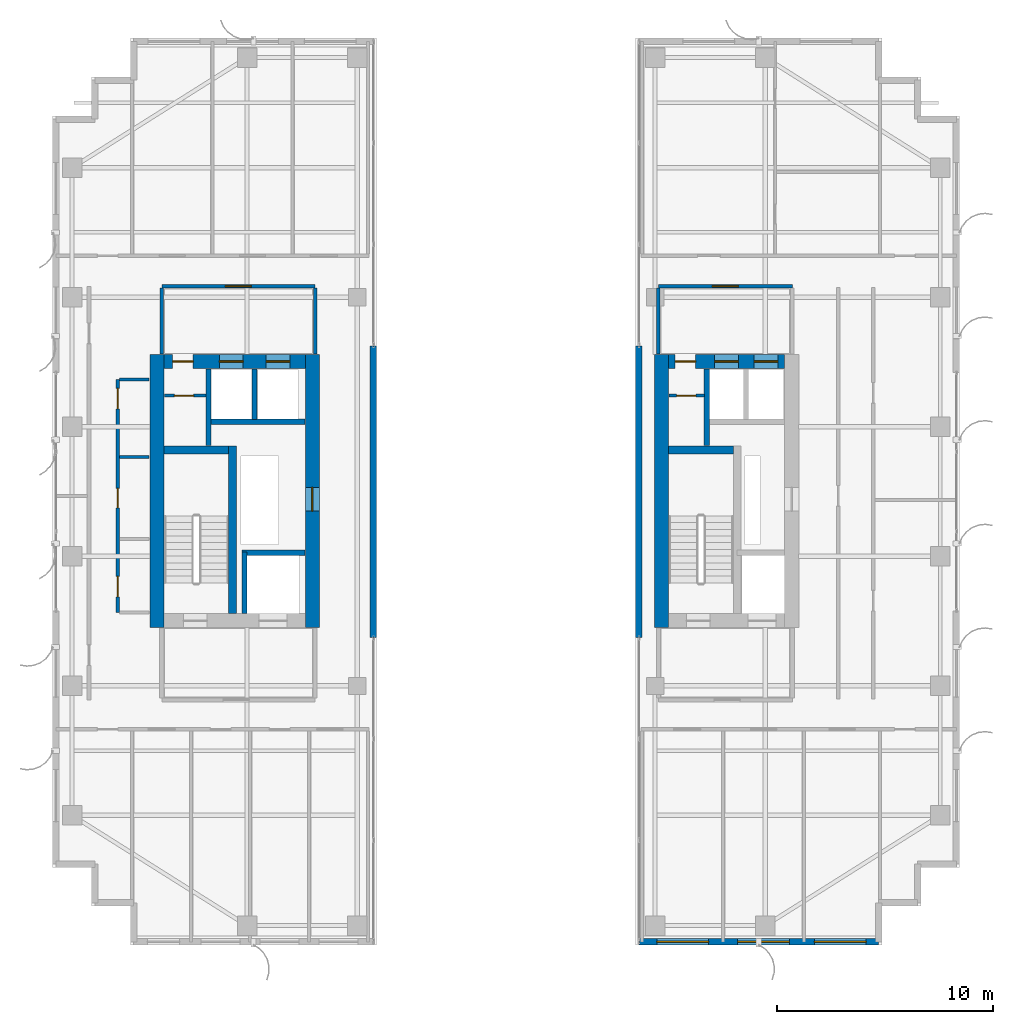
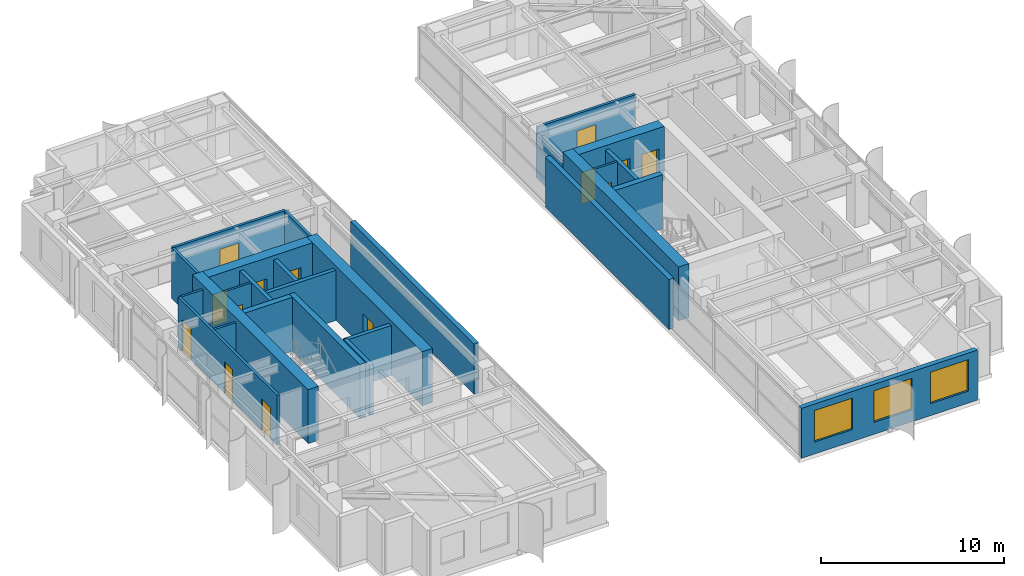
# One storey, part 17 of 22: 27 walls, 14 doors, 3 windows, 17 openings.
"""IFC4 building model written with IfcOpenShell, lengths in metres."""

from ifc_helpers import new_model, si_unit, direction, frame, frame_2d, origin, place, context, subcontext, project, spatial, rectangle, extrude, source, transform, mapped, material, layer, layer_set, type_object, element, fill, save


model = new_model("IFC4")

# Units and contexts
model_context = context("Model", 3, precision=1e-05, world=origin(), true_north=direction((0.0, 1.0)))
body_context = subcontext(model_context, "Body", "Model", "MODEL_VIEW")
ifc_project = project(units=[si_unit("LENGTHUNIT", "METRE"), si_unit("AREAUNIT", "SQUARE_METRE"), si_unit("VOLUMEUNIT", "CUBIC_METRE"), si_unit("PLANEANGLEUNIT", "RADIAN"), si_unit("MASSUNIT", "GRAM", prefix="KILO")], contexts=[model_context])

# Site, building, storey
site_placement = place(None, origin())
site = spatial("IfcSite", under=ifc_project, at=site_placement, CompositionType="ELEMENT")
building_placement = place(site_placement, origin())
building = spatial("IfcBuilding", under=site, at=building_placement, Name="Khoralis Quay Care Tower", CompositionType="ELEMENT")
storey_placement = place(building_placement, frame((0.0, 0.0, 195.300048828125)))
storey = spatial("IfcBuildingStorey", under=building, at=storey_placement, Name="L51", CompositionType="ELEMENT", Elevation=195.300048828125)

# Wall
ifc_material_1 = material(Name="Concrete C65/80", Category="concrete")
ifc_layer_1 = layer(ifc_material_1, 0.64990234375)
ifc_layer_set_1 = layer_set([ifc_layer_1], Name="Concrete C65/80")
wall_type_1 = type_object("IfcWallType", Name="WL-CORE-650", PredefinedType="SHEAR", material=ifc_layer_set_1)
wall_1_placement = place(storey_placement, frame((7.824951171875, 14.699951171875, 0.0), z_axis=(0.0, 0.0, 1.0), x_axis=(0.0, 1.0, 0.0)))
element("IfcWall", 1, at=wall_1_placement, inside=storey, type_object=wall_type_1, Name="L51 WCORE West Shear Wall", PredefinedType="SHEAR", context=body_context, shape_type="SweptSolid", body=[
    extrude(rectangle(XDim=12.650146484375, YDim=0.64990234375, at=frame_2d((6.3251953125, 0.0))), origin(), (0.0, 0.0, 1.0), 3.599853515625),
])

# Wall, opening, door
wall_2_placement = place(storey_placement, frame((15.02490234375, 14.699951171875, 0.0), z_axis=(0.0, 0.0, 1.0), x_axis=(0.0, 1.0, 0.0)))
wall_2 = element("IfcWall", 2, at=wall_2_placement, inside=storey, type_object=wall_type_1, Name="L51 WCORE East Shear Wall", PredefinedType="SHEAR", context=body_context, shape_type="SweptSolid", body=[
    extrude(rectangle(XDim=12.650146484375, YDim=0.64990234375, at=frame_2d((6.3251953125, 0.0))), origin(), (0.0, 0.0, 1.0), 3.599853515625),
])
opening_1_placement = place(wall_2_placement, frame((5.39990234375, 0.0, 0.0)))
opening_1 = element("IfcOpeningElement", 3, at=opening_1_placement, cuts=wall_2, Name="Opening SD1", PredefinedType="OPENING", context=body_context, shape_type="SweptSolid", body=[
    extrude(rectangle(XDim=1.10009765625, YDim=2.199951171875, at=frame_2d((0.550048828125, 1.10009765625))), frame((0.0, 0.3349609375, 0.0), z_axis=(0.0, -1.0, 0.0), x_axis=(1.0, 0.0, 0.0)), (0.0, 0.0, 1.0), 0.669921875),
])
ifc_material_2 = material(Name="Fire-rated painted steel", Category="steel")
door_type_1 = type_object("IfcDoorType", Name="DR-STAIR-1100X2200", OperationType="NOTDEFINED", PredefinedType="DOOR", material=ifc_material_2)
shared_shape_1 = source(origin(), body_context, "Body", "SweptSolid", [
    extrude(rectangle(XDim=1.10009765625, YDim=2.199951171875, at=frame_2d((0.550048828125, 1.10009765625))), frame((0.0, 0.02490234375, 0.0), z_axis=(0.0, -1.0, 0.0), x_axis=(1.0, 0.0, 0.0)), (0.0, 0.0, 1.0), 0.050048828125),
])
door_1_placement = place(opening_1_placement, origin())
door_1 = element("IfcDoor", 4, at=door_1_placement, inside=storey, type_object=door_type_1, Name="L51 West MEP Riser Door", OperationType="SINGLE_SWING_LEFT", OverallHeight=2.199951171875, OverallWidth=1.10009765625, PredefinedType="DOOR", context=body_context, shape_type="MappedRepresentation", body=[
    mapped(shared_shape_1, transform((0.0, 0.0, 0.0), scale=1.0)),
])
fill(opening_1, door_1)

# Wall, openings, doors
wall_3_placement = place(storey_placement, frame((8.14990234375, 27.02490234375, 0.0), z_axis=(0.0, 0.0, 1.0), x_axis=(1.0, 0.0, 0.0)))
wall_3 = element("IfcWall", 5, at=wall_3_placement, inside=storey, type_object=wall_type_1, Name="L51 WCORE North Shear Wall", PredefinedType="SHEAR", context=body_context, shape_type="SweptSolid", body=[
    extrude(rectangle(XDim=6.550048828125, YDim=0.64990234375, at=frame_2d((3.27490234375, 0.0))), origin(), (0.0, 0.0, 1.0), 3.599853515625),
])
opening_2_placement = place(wall_3_placement, frame((0.39990234375, 0.0, 0.0)))
opening_2 = element("IfcOpeningElement", 6, at=opening_2_placement, cuts=wall_3, Name="Opening ID1", PredefinedType="OPENING", context=body_context, shape_type="SweptSolid", body=[
    extrude(rectangle(XDim=0.949951171875, YDim=2.10009765625, at=frame_2d((0.47509765625, 1.050048828125))), frame((0.0, 0.3349609375, 0.0), z_axis=(0.0, -1.0, 0.0), x_axis=(1.0, 0.0, 0.0)), (0.0, 0.0, 1.0), 0.669921875),
])
opening_3_placement = place(wall_3_placement, frame((2.570068359375, 0.0, 0.0)))
opening_3 = element("IfcOpeningElement", 7, at=opening_3_placement, cuts=wall_3, Name="Opening LD1", PredefinedType="OPENING", context=body_context, shape_type="SweptSolid", body=[
    extrude(rectangle(XDim=1.10009765625, YDim=2.199951171875, at=frame_2d((0.550048828125, 1.10009765625))), frame((0.0, 0.3349609375, 0.0), z_axis=(0.0, -1.0, 0.0), x_axis=(1.0, 0.0, 0.0)), (0.0, 0.0, 1.0), 0.669921875),
])
opening_4_placement = place(wall_3_placement, frame((4.72998046875, 0.0, 0.0)))
opening_4 = element("IfcOpeningElement", 8, at=opening_4_placement, cuts=wall_3, Name="Opening LD1", PredefinedType="OPENING", context=body_context, shape_type="SweptSolid", body=[
    extrude(rectangle(XDim=1.10009765625, YDim=2.199951171875, at=frame_2d((0.550048828125, 1.10009765625))), frame((0.0, 0.3349609375, 0.0), z_axis=(0.0, -1.0, 0.0), x_axis=(1.0, 0.0, 0.0)), (0.0, 0.0, 1.0), 0.669921875),
])
ifc_material_3 = material(Name="Brushed stainless steel", Category="steel")
door_type_2 = type_object("IfcDoorType", Name="DR-LIFT-1100X2200", OperationType="SLIDING_TO_LEFT", PredefinedType="DOOR", material=ifc_material_3)
shared_shape_2 = source(origin(), body_context, "Body", "SweptSolid", [
    extrude(rectangle(XDim=1.10009765625, YDim=2.199951171875, at=frame_2d((0.550048828125, 1.10009765625))), frame((0.0, 0.02490234375, 0.0), z_axis=(0.0, -1.0, 0.0), x_axis=(1.0, 0.0, 0.0)), (0.0, 0.0, 1.0), 0.050048828125),
])
door_2_placement = place(opening_3_placement, origin())
door_2 = element("IfcDoor", 9, at=door_2_placement, inside=storey, type_object=door_type_2, Name="L51 Lift PLM1 Landing Door", OperationType="SLIDING_TO_LEFT", OverallHeight=2.199951171875, OverallWidth=1.10009765625, PredefinedType="DOOR", context=body_context, shape_type="MappedRepresentation", body=[
    mapped(shared_shape_2, transform((0.0, 0.0, 0.0), scale=1.0)),
])
fill(opening_3, door_2)
door_3_placement = place(opening_4_placement, origin())
door_3 = element("IfcDoor", 10, at=door_3_placement, inside=storey, type_object=door_type_2, Name="L51 Lift PLH1 Landing Door", OperationType="SLIDING_TO_LEFT", OverallHeight=2.199951171875, OverallWidth=1.10009765625, PredefinedType="DOOR", context=body_context, shape_type="MappedRepresentation", body=[
    mapped(shared_shape_2, transform((0.0, 0.0, 0.0), scale=1.0)),
])
fill(opening_4, door_3)
ifc_material_4 = material(Name="Acoustic hardwood timber", Category="wood")
door_type_3 = type_object("IfcDoorType", Name="DR-ROOM-950X2100", OperationType="NOTDEFINED", PredefinedType="DOOR", material=ifc_material_4)
shared_shape_3 = source(origin(), body_context, "Body", "SweptSolid", [
    extrude(rectangle(XDim=0.949951171875, YDim=2.10009765625, at=frame_2d((0.47509765625, 1.050048828125))), frame((0.0, 0.02490234375, 0.0), z_axis=(0.0, -1.0, 0.0), x_axis=(1.0, 0.0, 0.0)), (0.0, 0.0, 1.0), 0.050048828125),
])
door_4_placement = place(opening_2_placement, frame((0.949951171875, 0.0, 0.0), z_axis=(0.0, 0.0, 1.0), x_axis=(-1.0, 0.0, 0.0)))
door_4 = element("IfcDoor", 11, at=door_4_placement, inside=storey, type_object=door_type_3, Name="L51 Medication Store Door", OperationType="SINGLE_SWING_LEFT", OverallHeight=2.10009765625, OverallWidth=0.949951171875, PredefinedType="DOOR", context=body_context, shape_type="MappedRepresentation", body=[
    mapped(shared_shape_3, transform((0.0, 0.0, 0.0), scale=1.0)),
])
fill(opening_2, door_4)

# Wall
wall_4_placement = place(storey_placement, frame((31.195068359375, 14.699951171875, 0.0), z_axis=(0.0, 0.0, 1.0), x_axis=(0.0, 1.0, 0.0)))
element("IfcWall", 12, at=wall_4_placement, inside=storey, type_object=wall_type_1, Name="L51 ECORE West Shear Wall", PredefinedType="SHEAR", context=body_context, shape_type="SweptSolid", body=[
    extrude(rectangle(XDim=12.650146484375, YDim=0.64990234375, at=frame_2d((6.3251953125, 0.0))), origin(), (0.0, 0.0, 1.0), 3.599853515625),
])

# Wall, openings, doors
wall_5_placement = place(storey_placement, frame((31.52001953125, 27.02490234375, 0.0), z_axis=(0.0, 0.0, 1.0), x_axis=(1.0, 0.0, 0.0)))
wall_5 = element("IfcWall", 13, at=wall_5_placement, inside=storey, type_object=wall_type_1, Name="L51 ECORE North Shear Wall", PredefinedType="SHEAR", context=body_context, shape_type="SweptSolid", body=[
    extrude(rectangle(XDim=5.3798828125, YDim=0.64990234375, at=frame_2d((2.68994140625, 0.0))), origin(), (0.0, 0.0, 1.0), 3.599853515625),
])
opening_5_placement = place(wall_5_placement, frame((0.300048828125, 0.0, 0.0)))
opening_5 = element("IfcOpeningElement", 14, at=opening_5_placement, cuts=wall_5, Name="Opening ID1", PredefinedType="OPENING", context=body_context, shape_type="SweptSolid", body=[
    extrude(rectangle(XDim=0.949951171875, YDim=2.10009765625, at=frame_2d((0.47509765625, 1.050048828125))), frame((0.0, 0.3349609375, 0.0), z_axis=(0.0, -1.0, 0.0), x_axis=(1.0, 0.0, 0.0)), (0.0, 0.0, 1.0), 0.669921875),
])
opening_6_placement = place(wall_5_placement, frame((2.1298828125, 0.0, 0.0)))
opening_6 = element("IfcOpeningElement", 15, at=opening_6_placement, cuts=wall_5, Name="Opening LD1", PredefinedType="OPENING", context=body_context, shape_type="SweptSolid", body=[
    extrude(rectangle(XDim=1.10009765625, YDim=2.199951171875, at=frame_2d((0.550048828125, 1.10009765625))), frame((0.0, 0.3349609375, 0.0), z_axis=(0.0, -1.0, 0.0), x_axis=(1.0, 0.0, 0.0)), (0.0, 0.0, 1.0), 0.669921875),
])
opening_7_placement = place(wall_5_placement, frame((3.9599609375, 0.0, 0.0)))
opening_7 = element("IfcOpeningElement", 16, at=opening_7_placement, cuts=wall_5, Name="Opening LD1", PredefinedType="OPENING", context=body_context, shape_type="SweptSolid", body=[
    extrude(rectangle(XDim=1.10009765625, YDim=2.199951171875, at=frame_2d((0.550048828125, 1.10009765625))), frame((0.0, 0.3349609375, 0.0), z_axis=(0.0, -1.0, 0.0), x_axis=(1.0, 0.0, 0.0)), (0.0, 0.0, 1.0), 0.669921875),
])
door_5_placement = place(opening_6_placement, origin())
door_5 = element("IfcDoor", 17, at=door_5_placement, inside=storey, type_object=door_type_2, Name="L51 Lift PLM2 Landing Door", OperationType="SLIDING_TO_LEFT", OverallHeight=2.199951171875, OverallWidth=1.10009765625, PredefinedType="DOOR", context=body_context, shape_type="MappedRepresentation", body=[
    mapped(shared_shape_2, transform((0.0, 0.0, 0.0), scale=1.0)),
])
fill(opening_6, door_5)
door_6_placement = place(opening_7_placement, origin())
door_6 = element("IfcDoor", 18, at=door_6_placement, inside=storey, type_object=door_type_2, Name="L51 Lift PLH2 Landing Door", OperationType="SLIDING_TO_LEFT", OverallHeight=2.199951171875, OverallWidth=1.10009765625, PredefinedType="DOOR", context=body_context, shape_type="MappedRepresentation", body=[
    mapped(shared_shape_2, transform((0.0, 0.0, 0.0), scale=1.0)),
])
fill(opening_7, door_6)
door_7_placement = place(opening_5_placement, frame((0.949951171875, 0.0, 0.0), z_axis=(0.0, 0.0, 1.0), x_axis=(-1.0, 0.0, 0.0)))
door_7 = element("IfcDoor", 19, at=door_7_placement, inside=storey, type_object=door_type_3, Name="L51 Nutrition Store Door", OperationType="SINGLE_SWING_RIGHT", OverallHeight=2.10009765625, OverallWidth=0.949951171875, PredefinedType="DOOR", context=body_context, shape_type="MappedRepresentation", body=[
    mapped(shared_shape_3, transform((0.0, 0.0, 0.0), scale=1.0)),
])
fill(opening_5, door_7)

# Wall, opening, door
ifc_material_5 = material(Name="Gypsum plasterboard on acoustic metal stud")
ifc_layer_2 = layer(ifc_material_5, 0.1650390625)
ifc_layer_set_2 = layer_set([ifc_layer_2], Name="Gypsum plasterboard on acoustic metal stud")
wall_type_2 = type_object("IfcWallType", Name="WL-CORR-165", PredefinedType="PARTITIONING", material=ifc_layer_set_2)
wall_6_placement = place(storey_placement, frame((8.050048828125, 30.5, 0.0), z_axis=(0.0, 0.0, 1.0), x_axis=(1.0, 0.0, 0.0)))
wall_6 = element("IfcWall", 20, at=wall_6_placement, inside=storey, type_object=wall_type_2, Name="L51 West Lift Lobby North Wall", PredefinedType="PARTITIONING", context=body_context, shape_type="SweptSolid", body=[
    extrude(rectangle(XDim=7.099853515625, YDim=0.1650390625, at=frame_2d((3.5498046875, 0.0))), origin(), (0.0, 0.0, 1.0), 3.33984375),
])
opening_8_placement = place(wall_6_placement, frame((2.949951171875, 0.0, 0.0)))
opening_8 = element("IfcOpeningElement", 21, at=opening_8_placement, cuts=wall_6, Name="Opening FD1", PredefinedType="OPENING", context=body_context, shape_type="SweptSolid", body=[
    extrude(rectangle(XDim=1.199951171875, YDim=2.199951171875, at=frame_2d((0.60009765625, 1.10009765625))), frame((0.0, 0.092529296875, 0.0), z_axis=(0.0, -1.0, 0.0), x_axis=(1.0, 0.0, 0.0)), (0.0, 0.0, 1.0), 0.18505859375),
])
door_type_4 = type_object("IfcDoorType", Name="DR-FFL-1200X2200", OperationType="NOTDEFINED", PredefinedType="DOOR", material=ifc_material_2)
shared_shape_4 = source(origin(), body_context, "Body", "SweptSolid", [
    extrude(rectangle(XDim=1.199951171875, YDim=2.199951171875, at=frame_2d((0.60009765625, 1.10009765625))), frame((0.0, 0.02490234375, 0.0), z_axis=(0.0, -1.0, 0.0), x_axis=(1.0, 0.0, 0.0)), (0.0, 0.0, 1.0), 0.050048828125),
])
door_8_placement = place(opening_8_placement, origin())
door_8 = element("IfcDoor", 22, at=door_8_placement, inside=storey, type_object=door_type_4, Name="L51 West Lift Lobby Double Door", OperationType="DOUBLE_DOOR_SINGLE_SWING", OverallHeight=2.199951171875, OverallWidth=1.199951171875, PredefinedType="DOOR", context=body_context, shape_type="MappedRepresentation", body=[
    mapped(shared_shape_4, transform((0.0, 0.0, 0.0), scale=1.0)),
])
fill(opening_8, door_8)

# Walls
for number, where, z_axis, x_axis, name in (
    (23, (8.050048828125, 27.3701171875, 0.0), (0.0, 0.0, 1.0), (0.0, 1.0, 0.0), "L51 West Lift Lobby West Wall"),
    (24, (15.14990234375, 27.3701171875, 0.0), (0.0, 0.0, 1.0), (0.0, 1.0, 0.0), "L51 West Lift Lobby East Wall"),
):
    element("IfcWall", number, at=place(storey_placement, frame(where, z_axis=z_axis, x_axis=x_axis)), inside=storey, type_object=wall_type_2, Name=name, PredefinedType="PARTITIONING", context=body_context, shape_type="SweptSolid", body=[
        extrude(rectangle(XDim=3.052490234375, YDim=0.1650390625, at=frame_2d((1.5263671875, 0.0))), origin(), (0.0, 0.0, 1.0), 3.33984375),
    ])

# Wall, opening, door
wall_7_placement = place(storey_placement, frame((31.050048828125, 30.5, 0.0), z_axis=(0.0, 0.0, 1.0), x_axis=(1.0, 0.0, 0.0)))
wall_7 = element("IfcWall", 25, at=wall_7_placement, inside=storey, type_object=wall_type_2, Name="L51 East Lift Lobby North Wall", PredefinedType="PARTITIONING", context=body_context, shape_type="SweptSolid", body=[
    extrude(rectangle(XDim=6.199951171875, YDim=0.1650390625, at=frame_2d((3.10009765625, 0.0))), origin(), (0.0, 0.0, 1.0), 3.33984375),
])
opening_9_placement = place(wall_7_placement, frame((2.5, 0.0, 0.0)))
opening_9 = element("IfcOpeningElement", 26, at=opening_9_placement, cuts=wall_7, Name="Opening FD1", PredefinedType="OPENING", context=body_context, shape_type="SweptSolid", body=[
    extrude(rectangle(XDim=1.199951171875, YDim=2.199951171875, at=frame_2d((0.60009765625, 1.10009765625))), frame((0.0, 0.092529296875, 0.0), z_axis=(0.0, -1.0, 0.0), x_axis=(1.0, 0.0, 0.0)), (0.0, 0.0, 1.0), 0.18505859375),
])
door_9_placement = place(opening_9_placement, origin())
door_9 = element("IfcDoor", 27, at=door_9_placement, inside=storey, type_object=door_type_4, Name="L51 East Lift Lobby Double Door", OperationType="DOUBLE_DOOR_SINGLE_SWING", OverallHeight=2.199951171875, OverallWidth=1.199951171875, PredefinedType="DOOR", context=body_context, shape_type="MappedRepresentation", body=[
    mapped(shared_shape_4, transform((0.0, 0.0, 0.0), scale=1.0)),
])
fill(opening_9, door_9)

# Wall
wall_8_placement = place(storey_placement, frame((31.050048828125, 27.3701171875, 0.0), z_axis=(0.0, 0.0, 1.0), x_axis=(0.0, 1.0, 0.0)))
element("IfcWall", 28, at=wall_8_placement, inside=storey, type_object=wall_type_2, Name="L51 East Lift Lobby West Wall", PredefinedType="PARTITIONING", context=body_context, shape_type="SweptSolid", body=[
    extrude(rectangle(XDim=3.052490234375, YDim=0.1650390625, at=frame_2d((1.5263671875, 0.0))), origin(), (0.0, 0.0, 1.0), 2.876953125),
])

# Wall, openings, doors
wall_9_placement = place(storey_placement, frame((6.02001953125, 15.39990234375, 0.0), z_axis=(0.0, 0.0, 1.0), x_axis=(0.0, 1.0, 0.0)))
wall_9 = element("IfcWall", 29, at=wall_9_placement, inside=storey, type_object=wall_type_2, Name="L51 West Core Service Flank Wall", PredefinedType="PARTITIONING", context=body_context, shape_type="SweptSolid", body=[
    extrude(rectangle(XDim=10.800048828125, YDim=0.1650390625, at=frame_2d((5.39990234375, 0.0))), origin(), (0.0, 0.0, 1.0), 3.33984375),
])
opening_10_placement = place(wall_9_placement, frame((0.72509765625, 0.0, 0.0)))
opening_10 = element("IfcOpeningElement", 30, at=opening_10_placement, cuts=wall_9, Name="Opening ID1", PredefinedType="OPENING", context=body_context, shape_type="SweptSolid", body=[
    extrude(rectangle(XDim=0.949951171875, YDim=2.10009765625, at=frame_2d((0.47509765625, 1.050048828125))), frame((0.0, 0.092529296875, 0.0), z_axis=(0.0, -1.0, 0.0), x_axis=(1.0, 0.0, 0.0)), (0.0, 0.0, 1.0), 0.18505859375),
])
opening_11_placement = place(wall_9_placement, frame((4.85009765625, 0.0, 0.0)))
opening_11 = element("IfcOpeningElement", 31, at=opening_11_placement, cuts=wall_9, Name="Opening WD1", PredefinedType="OPENING", context=body_context, shape_type="SweptSolid", body=[
    extrude(rectangle(XDim=0.89990234375, YDim=2.10009765625, at=frame_2d((0.449951171875, 1.050048828125))), frame((0.0, 0.092529296875, 0.0), z_axis=(0.0, -1.0, 0.0), x_axis=(1.0, 0.0, 0.0)), (0.0, 0.0, 1.0), 0.18505859375),
])
opening_12_placement = place(wall_9_placement, frame((9.425048828125, 0.0, 0.0)))
opening_12 = element("IfcOpeningElement", 32, at=opening_12_placement, cuts=wall_9, Name="Opening ID1", PredefinedType="OPENING", context=body_context, shape_type="SweptSolid", body=[
    extrude(rectangle(XDim=0.949951171875, YDim=2.10009765625, at=frame_2d((0.47509765625, 1.050048828125))), frame((0.0, 0.092529296875, 0.0), z_axis=(0.0, -1.0, 0.0), x_axis=(1.0, 0.0, 0.0)), (0.0, 0.0, 1.0), 0.18505859375),
])
door_type_5 = type_object("IfcDoorType", Name="DR-BATH-900X2100", OperationType="NOTDEFINED", PredefinedType="DOOR", material=ifc_material_4)
shared_shape_5 = source(origin(), body_context, "Body", "SweptSolid", [
    extrude(rectangle(XDim=0.89990234375, YDim=2.10009765625, at=frame_2d((0.449951171875, 1.050048828125))), frame((0.0, 0.02490234375, 0.0), z_axis=(0.0, -1.0, 0.0), x_axis=(1.0, 0.0, 0.0)), (0.0, 0.0, 1.0), 0.050048828125),
])
door_10_placement = place(opening_11_placement, frame((0.89990234375, 0.0, 0.0), z_axis=(0.0, 0.0, 1.0), x_axis=(-1.0, 0.0, 0.0)))
door_10 = element("IfcDoor", 33, at=door_10_placement, inside=storey, type_object=door_type_5, Name="L51 Public Accessible WC Door", OperationType="SINGLE_SWING_LEFT", OverallHeight=2.10009765625, OverallWidth=0.89990234375, PredefinedType="DOOR", context=body_context, shape_type="MappedRepresentation", body=[
    mapped(shared_shape_5, transform((0.0, 0.0, 0.0), scale=1.0)),
])
fill(opening_11, door_10)
door_11_placement = place(opening_10_placement, frame((0.949951171875, 0.0, 0.0), z_axis=(0.0, 0.0, 1.0), x_axis=(-1.0, 0.0, 0.0)))
door_11 = element("IfcDoor", 34, at=door_11_placement, inside=storey, type_object=door_type_3, Name="L51 Clean Utility Store Door", OperationType="SINGLE_SWING_RIGHT", OverallHeight=2.10009765625, OverallWidth=0.949951171875, PredefinedType="DOOR", context=body_context, shape_type="MappedRepresentation", body=[
    mapped(shared_shape_3, transform((0.0, 0.0, 0.0), scale=1.0)),
])
fill(opening_10, door_11)
door_12_placement = place(opening_12_placement, frame((0.949951171875, 0.0, 0.0), z_axis=(0.0, 0.0, 1.0), x_axis=(-1.0, 0.0, 0.0)))
door_12 = element("IfcDoor", 35, at=door_12_placement, inside=storey, type_object=door_type_3, Name="L51 Electrical Switchboard Room Door", OperationType="SINGLE_SWING_RIGHT", OverallHeight=2.10009765625, OverallWidth=0.949951171875, PredefinedType="DOOR", context=body_context, shape_type="MappedRepresentation", body=[
    mapped(shared_shape_3, transform((0.0, 0.0, 0.0), scale=1.0)),
])
fill(opening_12, door_12)

# Wall
ifc_material_6 = material(Name="Precast concrete C45/55", Category="concrete")
ifc_layer_3 = layer(ifc_material_6, 0.300048828125)
ifc_layer_set_3 = layer_set([ifc_layer_3], Name="Precast concrete C45/55")
wall_type_3 = type_object("IfcWallType", Name="WL-EXT-REF-300", PredefinedType="SOLIDWALL", material=ifc_layer_set_3)
wall_10_placement = place(storey_placement, frame((17.85009765625, 14.25, 0.0), z_axis=(0.0, 0.0, 1.0), x_axis=(0.0, 1.0, 0.0)))
element("IfcWall", 36, at=wall_10_placement, inside=storey, type_object=wall_type_3, Name="L51 External Facade Wall WL-VP-L51-P1-M", PredefinedType="SOLIDWALL", context=body_context, shape_type="SweptSolid", body=[
    extrude(rectangle(XDim=13.5, YDim=0.300048828125, at=frame_2d((6.75, 0.0))), origin(), (0.0, 0.0, 1.0), 3.33984375),
])

# Wall, openings, windows
wall_11_placement = place(storey_placement, frame((30.14990234375, 0.14990234375, 0.0), z_axis=(0.0, 0.0, 1.0), x_axis=(1.0, 0.0, 0.0)))
wall_11 = element("IfcWall", 37, at=wall_11_placement, inside=storey, type_object=wall_type_3, Name="L51 External Facade Wall WL-EXT-L51-P2-E0", PredefinedType="SOLIDWALL", context=body_context, shape_type="SweptSolid", body=[
    extrude(rectangle(XDim=11.10009765625, YDim=0.300048828125, at=frame_2d((5.550048828125, 0.0))), origin(), (0.0, 0.0, 1.0), 3.33984375),
])
opening_13_placement = place(wall_11_placement, frame((0.824951171875, 0.0, 0.800048828125)))
opening_13 = element("IfcOpeningElement", 38, at=opening_13_placement, cuts=wall_11, Name="Opening W1", PredefinedType="OPENING", context=body_context, shape_type="SweptSolid", body=[
    extrude(rectangle(XDim=2.39990234375, YDim=2.10009765625, at=frame_2d((1.199951171875, 1.050048828125))), frame((0.0, 0.16015625, 0.0), z_axis=(0.0, -1.0, 0.0), x_axis=(1.0, 0.0, 0.0)), (0.0, 0.0, 1.0), 0.320068359375),
])
opening_14_placement = place(wall_11_placement, frame((4.570068359375, 0.0, 0.800048828125)))
opening_14 = element("IfcOpeningElement", 39, at=opening_14_placement, cuts=wall_11, Name="Opening W1", PredefinedType="OPENING", context=body_context, shape_type="SweptSolid", body=[
    extrude(rectangle(XDim=2.39990234375, YDim=2.10009765625, at=frame_2d((1.199951171875, 1.050048828125))), frame((0.0, 0.16015625, 0.0), z_axis=(0.0, -1.0, 0.0), x_axis=(1.0, 0.0, 0.0)), (0.0, 0.0, 1.0), 0.320068359375),
])
opening_15_placement = place(wall_11_placement, frame((8.1201171875, 0.0, 0.800048828125)))
opening_15 = element("IfcOpeningElement", 40, at=opening_15_placement, cuts=wall_11, Name="Opening W1", PredefinedType="OPENING", context=body_context, shape_type="SweptSolid", body=[
    extrude(rectangle(XDim=2.39990234375, YDim=2.10009765625, at=frame_2d((1.199951171875, 1.050048828125))), frame((0.0, 0.16015625, 0.0), z_axis=(0.0, -1.0, 0.0), x_axis=(1.0, 0.0, 0.0)), (0.0, 0.0, 1.0), 0.320068359375),
])
ifc_material_7 = material(Name="Low-E solar-control double glazing", Category="glass")
window_type = type_object("IfcWindowType", Name="WN-POD-2400X2100", PartitioningType="SINGLE_PANEL", PredefinedType="WINDOW", material=ifc_material_7)
shared_shape_6 = source(origin(), body_context, "Body", "SweptSolid", [
    extrude(rectangle(XDim=2.39990234375, YDim=2.10009765625, at=frame_2d((1.199951171875, 1.050048828125))), frame((0.0, 0.030029296875, 0.0), z_axis=(0.0, -1.0, 0.0), x_axis=(1.0, 0.0, 0.0)), (0.0, 0.0, 1.0), 0.06005859375),
])
window_1_placement = place(opening_13_placement, origin())
window_1 = element("IfcWindow", 41, at=window_1_placement, inside=storey, type_object=window_type, Name="WN-L51-P2-E0 Facade Window 01", OverallHeight=2.10009765625, OverallWidth=2.39990234375, PartitioningType="SINGLE_PANEL", PredefinedType="WINDOW", context=body_context, shape_type="MappedRepresentation", body=[
    mapped(shared_shape_6, transform((0.0, 0.0, 0.0), scale=1.0)),
])
fill(opening_13, window_1)
window_2_placement = place(opening_14_placement, origin())
window_2 = element("IfcWindow", 42, at=window_2_placement, inside=storey, type_object=window_type, Name="WN-L51-P2-E0 Facade Window 02", OverallHeight=2.10009765625, OverallWidth=2.39990234375, PartitioningType="SINGLE_PANEL", PredefinedType="WINDOW", context=body_context, shape_type="MappedRepresentation", body=[
    mapped(shared_shape_6, transform((0.0, 0.0, 0.0), scale=1.0)),
])
fill(opening_14, window_2)
window_3_placement = place(opening_15_placement, origin())
window_3 = element("IfcWindow", 43, at=window_3_placement, inside=storey, type_object=window_type, Name="WN-L51-P2-E0 Facade Window 03", OverallHeight=2.10009765625, OverallWidth=2.39990234375, PartitioningType="SINGLE_PANEL", PredefinedType="WINDOW", context=body_context, shape_type="MappedRepresentation", body=[
    mapped(shared_shape_6, transform((0.0, 0.0, 0.0), scale=1.0)),
])
fill(opening_15, window_3)

# Walls
wall_12_placement = place(storey_placement, frame((30.14990234375, 14.25, 0.0), z_axis=(0.0, 0.0, 1.0), x_axis=(0.0, 1.0, 0.0)))
element("IfcWall", 44, at=wall_12_placement, inside=storey, type_object=wall_type_3, Name="L51 External Facade Wall WL-VP-L51-P2-M", PredefinedType="SOLIDWALL", context=body_context, shape_type="SweptSolid", body=[
    extrude(rectangle(XDim=13.5, YDim=0.300048828125, at=frame_2d((6.75, 0.0))), origin(), (0.0, 0.0, 1.0), 3.33984375),
])
ifc_material_8 = material(Name="Concrete C40/50", Category="concrete")
ifc_layer_4 = layer(ifc_material_8, 0.35009765625)
ifc_layer_set_4 = layer_set([ifc_layer_4], Name="Concrete C40/50")
wall_type_4 = type_object("IfcWallType", Name="WL-SC-CORE-350", PredefinedType="SHEAR", material=ifc_layer_set_4)
wall_13_placement = place(storey_placement, frame((11.324951171875, 15.35009765625, 0.0), z_axis=(0.0, 0.0, 1.0), x_axis=(0.0, 1.0, 0.0)))
element("IfcWall", 45, at=wall_13_placement, inside=storey, type_object=wall_type_4, Name="L51 Stair ST-T1 Shear Baffle Wall East", PredefinedType="SHEAR", context=body_context, shape_type="SweptSolid", body=[
    extrude(rectangle(XDim=7.75, YDim=0.35009765625, at=frame_2d((3.875, 0.0))), origin(), (0.0, 0.0, 1.0), 3.599853515625),
])
for number, where, z_axis, x_axis, name in (
    (46, (8.14990234375, 22.925048828125, 0.0), (0.0, 0.0, 1.0), (1.0, 0.0, 0.0), "L51 Stair ST-T1 Shear Baffle Wall North"),
    (47, (31.52001953125, 22.925048828125, 0.0), (0.0, 0.0, 1.0), (1.0, 0.0, 0.0), "L51 Stair ST-T2 Shear Baffle Wall North"),
):
    element("IfcWall", number, at=place(storey_placement, frame(where, z_axis=z_axis, x_axis=x_axis)), inside=storey, type_object=wall_type_4, Name=name, PredefinedType="SHEAR", context=body_context, shape_type="SweptSolid", body=[
        extrude(rectangle(XDim=3.0, YDim=0.35009765625, at=frame_2d((1.5, 0.0))), origin(), (0.0, 0.0, 1.0), 3.599853515625),
    ])
ifc_layer_5 = layer(ifc_material_5, 0.239990234375)
ifc_layer_set_5 = layer_set([ifc_layer_5], Name="Gypsum plasterboard on acoustic metal stud")
wall_type_5 = type_object("IfcWallType", Name="WL-SHAFT-240", PredefinedType="PARTITIONING", material=ifc_layer_set_5)
wall_14_placement = place(storey_placement, frame((11.8798828125, 15.35009765625, 0.0), z_axis=(0.0, 0.0, 1.0), x_axis=(0.0, 1.0, 0.0)))
element("IfcWall", 48, at=wall_14_placement, inside=storey, type_object=wall_type_5, Name="L51 FFL-1 Shaft Wall West", PredefinedType="PARTITIONING", context=body_context, shape_type="SweptSolid", body=[
    extrude(rectangle(XDim=2.849853515625, YDim=0.239990234375, at=frame_2d((1.4248046875, 0.0))), origin(), (0.0, 0.0, 1.0), 3.33984375),
])
wall_15_placement = place(storey_placement, frame((11.760009765625, 18.169921875, 0.0), z_axis=(0.0, 0.0, 1.0), x_axis=(1.0, 0.0, 0.0)))
element("IfcWall", 49, at=wall_15_placement, inside=storey, type_object=wall_type_5, Name="L51 FFL-1 Shaft Wall North", PredefinedType="PARTITIONING", context=body_context, shape_type="SweptSolid", body=[
    extrude(rectangle(XDim=2.919921875, YDim=0.239990234375, at=frame_2d((1.4599609375, 0.0))), origin(), (0.0, 0.0, 1.0), 3.33984375),
])
wall_16_placement = place(storey_placement, frame((10.219970703125, 23.139892578125, 0.0), z_axis=(0.0, 0.0, 1.0), x_axis=(0.0, 1.0, 0.0)))
element("IfcWall", 50, at=wall_16_placement, inside=storey, type_object=wall_type_5, Name="L51 Reclaimed Bay Divider West", PredefinedType="PARTITIONING", context=body_context, shape_type="SweptSolid", body=[
    extrude(rectangle(XDim=3.5400390625, YDim=0.239990234375, at=frame_2d((1.77001953125, 0.0))), origin(), (0.0, 0.0, 1.0), 3.33984375),
])
wall_17_placement = place(storey_placement, frame((10.3349609375, 24.22998046875, 0.0), z_axis=(0.0, 0.0, 1.0), x_axis=(1.0, 0.0, 0.0)))
element("IfcWall", 51, at=wall_17_placement, inside=storey, type_object=wall_type_5, Name="L51 Active Shaft South Wall West", PredefinedType="PARTITIONING", context=body_context, shape_type="SweptSolid", body=[
    extrude(rectangle(XDim=4.344970703125, YDim=0.239990234375, at=frame_2d((2.17236328125, 0.0))), origin(), (0.0, 0.0, 1.0), 3.33984375),
])
wall_18_placement = place(storey_placement, frame((12.35009765625, 24.344970703125, 0.0), z_axis=(0.0, 0.0, 1.0), x_axis=(0.0, 1.0, 0.0)))
element("IfcWall", 52, at=wall_18_placement, inside=storey, type_object=wall_type_5, Name="L51 West Shaft Divider 2", PredefinedType="PARTITIONING", context=body_context, shape_type="SweptSolid", body=[
    extrude(rectangle(XDim=2.3349609375, YDim=0.239990234375, at=frame_2d((1.16748046875, 0.0))), origin(), (0.0, 0.0, 1.0), 3.33984375),
])
wall_19_placement = place(storey_placement, frame((33.2900390625, 23.139892578125, 0.0), z_axis=(0.0, 0.0, 1.0), x_axis=(0.0, 1.0, 0.0)))
element("IfcWall", 53, at=wall_19_placement, inside=storey, type_object=wall_type_5, Name="L51 Reclaimed Bay Divider East", PredefinedType="PARTITIONING", context=body_context, shape_type="SweptSolid", body=[
    extrude(rectangle(XDim=3.5400390625, YDim=0.239990234375, at=frame_2d((1.77001953125, 0.0))), origin(), (0.0, 0.0, 1.0), 3.33984375),
])

# Wall, opening, door
ifc_layer_6 = layer(ifc_material_5, 0.139892578125)
ifc_layer_set_6 = layer_set([ifc_layer_6], Name="Gypsum plasterboard on acoustic metal stud")
wall_type_6 = type_object("IfcWallType", Name="WL-UNIT-140", PredefinedType="PARTITIONING", material=ifc_layer_set_6)
wall_20_placement = place(storey_placement, frame((8.179931640625, 25.43994140625, 0.0), z_axis=(0.0, 0.0, 1.0), x_axis=(1.0, 0.0, 0.0)))
wall_20 = element("IfcWall", 54, at=wall_20_placement, inside=storey, type_object=wall_type_6, Name="L51 West Reclaimed Split Wall", PredefinedType="PARTITIONING", context=body_context, shape_type="SweptSolid", body=[
    extrude(rectangle(XDim=1.925048828125, YDim=0.139892578125, at=frame_2d((0.96240234375, 0.0))), origin(), (0.0, 0.0, 1.0), 3.33984375),
])
opening_16_placement = place(wall_20_placement, frame((0.449951171875, 0.0, 0.0)))
opening_16 = element("IfcOpeningElement", 55, at=opening_16_placement, cuts=wall_20, Name="Opening WD1", PredefinedType="OPENING", context=body_context, shape_type="SweptSolid", body=[
    extrude(rectangle(XDim=0.89990234375, YDim=2.10009765625, at=frame_2d((0.449951171875, 1.050048828125))), frame((0.0, 0.080078125, 0.0), z_axis=(0.0, -1.0, 0.0), x_axis=(1.0, 0.0, 0.0)), (0.0, 0.0, 1.0), 0.159912109375),
])
door_13_placement = place(opening_16_placement, frame((0.89990234375, 0.0, 0.0), z_axis=(0.0, 0.0, 1.0), x_axis=(-1.0, 0.0, 0.0)))
door_13 = element("IfcDoor", 56, at=door_13_placement, inside=storey, type_object=door_type_5, Name="L51 Clean Linen Store Door", OperationType="SINGLE_SWING_LEFT", OverallHeight=2.10009765625, OverallWidth=0.89990234375, PredefinedType="DOOR", context=body_context, shape_type="MappedRepresentation", body=[
    mapped(shared_shape_5, transform((0.0, 0.0, 0.0), scale=1.0)),
])
fill(opening_16, door_13)

wall_21_placement = place(storey_placement, frame((31.550048828125, 25.43994140625, 0.0), z_axis=(0.0, 0.0, 1.0), x_axis=(1.0, 0.0, 0.0)))
wall_21 = element("IfcWall", 57, at=wall_21_placement, inside=storey, type_object=wall_type_6, Name="L51 East Reclaimed Split Wall", PredefinedType="PARTITIONING", context=body_context, shape_type="SweptSolid", body=[
    extrude(rectangle(XDim=1.625, YDim=0.139892578125, at=frame_2d((0.8125, 0.0))), origin(), (0.0, 0.0, 1.0), 3.33984375),
])
opening_17_placement = place(wall_21_placement, frame((0.340087890625, 0.0, 0.0)))
opening_17 = element("IfcOpeningElement", 58, at=opening_17_placement, cuts=wall_21, Name="Opening WD1", PredefinedType="OPENING", context=body_context, shape_type="SweptSolid", body=[
    extrude(rectangle(XDim=0.89990234375, YDim=2.10009765625, at=frame_2d((0.449951171875, 1.050048828125))), frame((0.0, 0.080078125, 0.0), z_axis=(0.0, -1.0, 0.0), x_axis=(1.0, 0.0, 0.0)), (0.0, 0.0, 1.0), 0.159912109375),
])
door_14_placement = place(opening_17_placement, frame((0.89990234375, 0.0, 0.0), z_axis=(0.0, 0.0, 1.0), x_axis=(-1.0, 0.0, 0.0)))
door_14 = element("IfcDoor", 59, at=door_14_placement, inside=storey, type_object=door_type_5, Name="L51 Sterile Store Door", OperationType="SINGLE_SWING_RIGHT", OverallHeight=2.10009765625, OverallWidth=0.89990234375, PredefinedType="DOOR", context=body_context, shape_type="MappedRepresentation", body=[
    mapped(shared_shape_5, transform((0.0, 0.0, 0.0), scale=1.0)),
])
fill(opening_17, door_14)

# Walls
for number, where, z_axis, x_axis, name in (
    (60, (6.097412109375, 26.199951171875, 0.0), (0.0, 0.0, 1.0), (1.0, 0.0, 0.0), "L51 West Flank North Cap"),
    (61, (6.097412109375, 22.60009765625, 0.0), (0.0, 0.0, 1.0), (1.0, 0.0, 0.0), "L51 West Flank Divider 2"),
):
    element("IfcWall", number, at=place(storey_placement, frame(where, z_axis=z_axis, x_axis=x_axis)), inside=storey, type_object=wall_type_6, Name=name, PredefinedType="PARTITIONING", context=body_context, shape_type="SweptSolid", body=[
        extrude(rectangle(XDim=1.362548828125, YDim=0.139892578125, at=frame_2d((0.68115234375, 0.0))), origin(), (0.0, 0.0, 1.0), 3.33984375),
    ])

save(model, "model.ifc")
